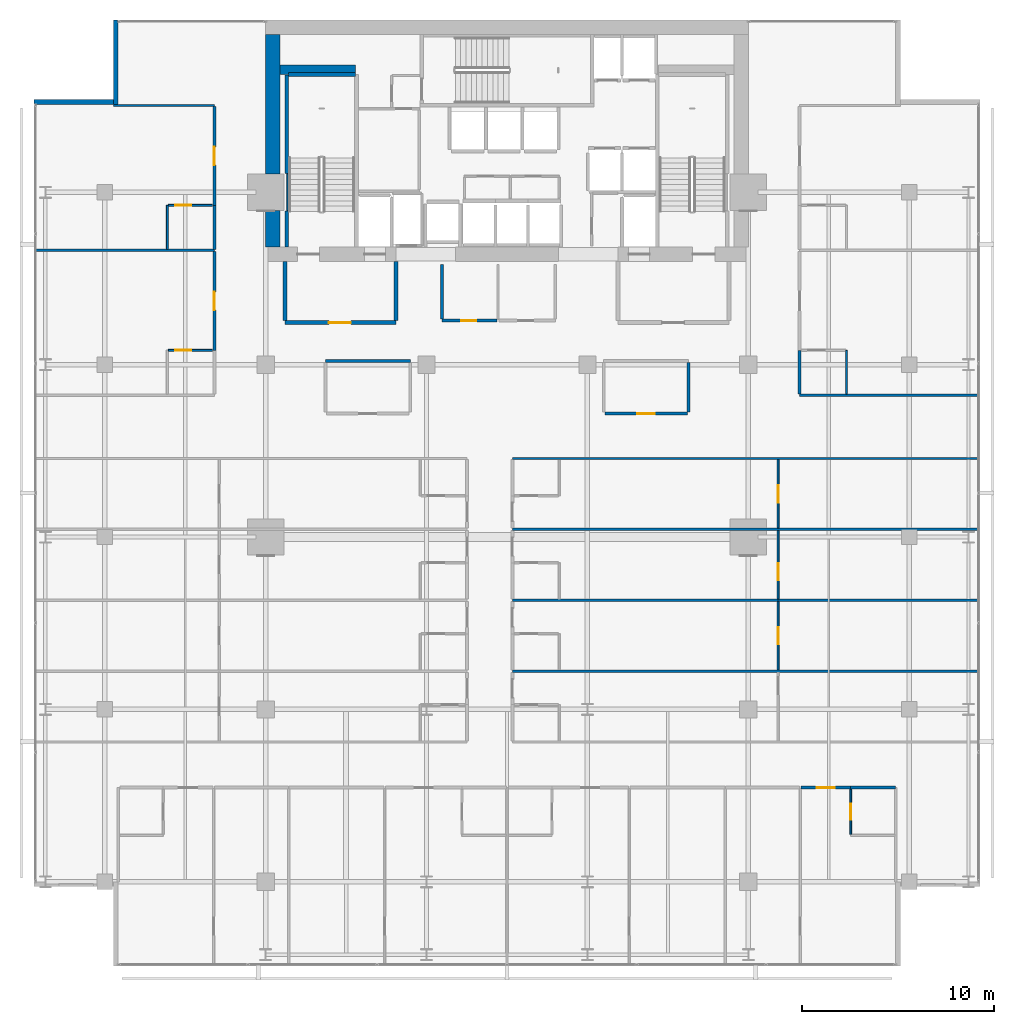
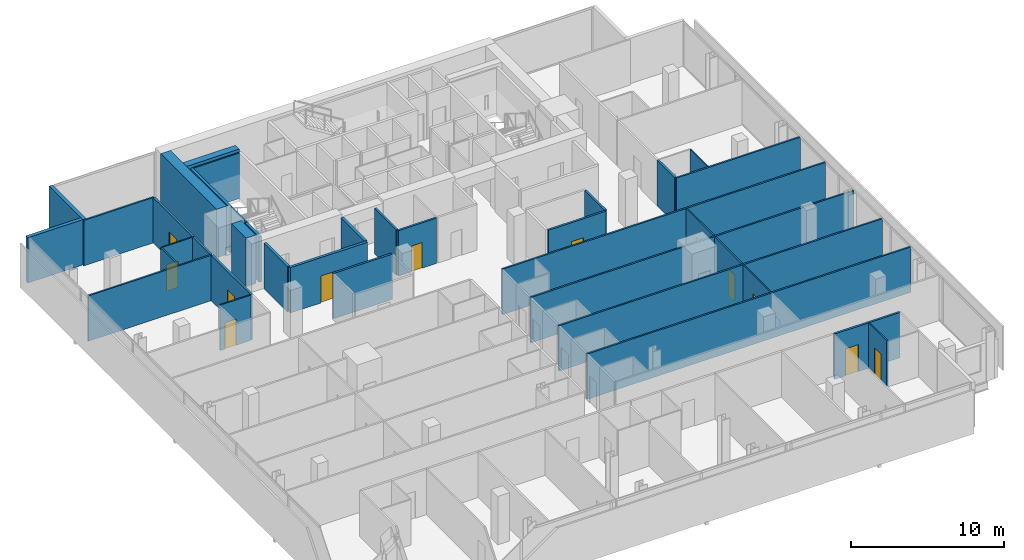
# One storey, part 29 of 34: 38 walls, 12 doors, 12 openings.
"""IFC4 building model written with IfcOpenShell, lengths in metres."""

from ifc_helpers import new_model, si_unit, direction, frame, frame_2d, origin, place, context, subcontext, project, spatial, rectangle, extrude, material, layer, layer_set, type_object, element, fill, save


model = new_model("IFC4")

# Units and contexts
model_context = context("Model", 3, precision=1e-05, world=origin(), true_north=direction((0.0, 1.0)))
body_context = subcontext(model_context, "Body", "Model", "MODEL_VIEW")
ifc_project = project(units=[si_unit("LENGTHUNIT", "METRE"), si_unit("AREAUNIT", "SQUARE_METRE"), si_unit("VOLUMEUNIT", "CUBIC_METRE"), si_unit("PLANEANGLEUNIT", "RADIAN"), si_unit("MASSUNIT", "GRAM", prefix="KILO")], contexts=[model_context])

# Site, building, storey
site_placement = place(None, origin())
site = spatial("IfcSite", under=ifc_project, at=site_placement, CompositionType="ELEMENT")
building_placement = place(site_placement, origin())
building = spatial("IfcBuilding", under=site, at=building_placement, Name="Maruvema Waterfront Hotel and Observation Tower", CompositionType="ELEMENT")
storey_placement = place(building_placement, frame((0.0, 0.0, 192.85009765625)))
storey = spatial("IfcBuildingStorey", under=building, at=storey_placement, Name="L47", CompositionType="ELEMENT", Elevation=192.85009765625)

# Wall, opening, door
ifc_material_1 = material(Name="Twin-stud acoustic gypsum drywall", Category="gypsum")
ifc_layer_1 = layer(ifc_material_1, 0.14990234375, Name="Acoustic Corridor and Suite Demising Wall 150 mm")
ifc_layer_set_1 = layer_set([ifc_layer_1], Name="Twin-stud acoustic gypsum drywall")
wall_type_1 = type_object("IfcWallType", Name="Acoustic Corridor and Suite Demising Wall 150 mm", PredefinedType="PARTITIONING", material=ifc_layer_set_1)
wall_1_placement = place(storey_placement, frame((34.39990234375, 38.300048828125, 0.0), z_axis=(0.0, 0.0, 1.0), x_axis=(1.0, 0.0, 0.0)))
wall_1 = element("IfcWall", 1, at=wall_1_placement, inside=storey, type_object=wall_type_1, Name="L47 Core Apron K2A South 022", PredefinedType="PARTITIONING", context=body_context, shape_type="SweptSolid", body=[
    extrude(rectangle(XDim=2.880126953125, YDim=0.14990234375, at=frame_2d((1.43994140625, 0.0))), origin(), (0.0, 0.0, 1.0), 3.60986328125),
])
opening_1_placement = place(wall_1_placement, frame((1.0, 0.0, 0.0)))
opening_1 = element("IfcOpeningElement", 2, at=opening_1_placement, cuts=wall_1, Name="Opening DR-080", PredefinedType="OPENING", context=body_context, shape_type="SweptSolid", body=[
    extrude(rectangle(XDim=0.800048828125, YDim=2.050048828125, at=frame_2d((0.39990234375, 1.02490234375))), frame((0.0, 0.0849609375, 0.0), z_axis=(0.0, -1.0, 0.0), x_axis=(1.0, 0.0, 0.0)), (0.0, 0.0, 1.0), 0.169921875),
])
ifc_material_2 = material(Name="Powder-coated steel access leaf", Category="steel")
door_type_1 = type_object("IfcDoorType", Name="Riser and Service Cupboard Door 800x2050 mm", OperationType="NOTDEFINED", PredefinedType="DOOR", material=ifc_material_2)
door_1_placement = place(opening_1_placement, frame((0.800048828125, 0.0, 0.0), z_axis=(0.0, 0.0, 1.0), x_axis=(-1.0, 0.0, 0.0)))
door_1 = element("IfcDoor", 3, at=door_1_placement, inside=storey, type_object=door_type_1, Name="L47 Core Ice Alcove Door", OperationType="SINGLE_SWING_LEFT", OverallHeight=2.050048828125, OverallWidth=0.800048828125, PredefinedType="DOOR", context=body_context, shape_type="SweptSolid", body=[
    extrude(rectangle(XDim=0.800048828125, YDim=2.050048828125, at=frame_2d((0.39990234375, 1.02490234375))), frame((0.0, 0.02490234375, 0.0), z_axis=(0.0, -1.0, 0.0), x_axis=(1.0, 0.0, 0.0)), (0.0, 0.0, 1.0), 0.050048828125),
])
fill(opening_1, door_1)

# Walls
wall_2_placement = place(storey_placement, frame((34.39990234375, 38.3798828125, 0.0), z_axis=(0.0, 0.0, 1.0), x_axis=(0.0, 1.0, 0.0)))
element("IfcWall", 4, at=wall_2_placement, inside=storey, type_object=wall_type_1, Name="L47 Core Apron K2 West 024", PredefinedType="PARTITIONING", context=body_context, shape_type="SweptSolid", body=[
    extrude(rectangle(XDim=2.840087890625, YDim=0.14990234375, at=frame_2d((1.419921875, 0.0))), origin(), (0.0, 0.0, 1.0), 3.60986328125),
])
wall_3_placement = place(storey_placement, frame((28.320068359375, 36.199951171875, 0.0), z_axis=(0.0, 0.0, 1.0), x_axis=(1.0, 0.0, 0.0)))
element("IfcWall", 5, at=wall_3_placement, inside=storey, type_object=wall_type_1, Name="L47 L47-M1 Back Wall 027", PredefinedType="PARTITIONING", context=body_context, shape_type="SweptSolid", body=[
    extrude(rectangle(XDim=4.429931640625, YDim=0.14990234375, at=frame_2d((2.21484375, 0.0))), origin(), (0.0, 0.0, 1.0), 3.60986328125),
])
wall_4_placement = place(storey_placement, frame((47.280029296875, 33.530029296875, 0.0), z_axis=(0.0, 0.0, 1.0), x_axis=(0.0, 1.0, 0.0)))
element("IfcWall", 6, at=wall_4_placement, inside=storey, type_object=wall_type_1, Name="L47 L47-M2 East Wall 033", PredefinedType="PARTITIONING", context=body_context, shape_type="SweptSolid", body=[
    extrude(rectangle(XDim=2.590087890625, YDim=0.14990234375, at=frame_2d((1.294921875, 0.0))), origin(), (0.0, 0.0, 1.0), 3.60986328125),
])

# Wall, opening, door
wall_5_placement = place(storey_placement, frame((42.909912109375, 33.449951171875, 0.0), z_axis=(0.0, 0.0, 1.0), x_axis=(1.0, 0.0, 0.0)))
wall_5 = element("IfcWall", 7, at=wall_5_placement, inside=storey, type_object=wall_type_1, Name="L47 L47-M2 Front 1 034", PredefinedType="PARTITIONING", context=body_context, shape_type="SweptSolid", body=[
    extrude(rectangle(XDim=4.31005859375, YDim=0.14990234375, at=frame_2d((2.155029296875, 0.0))), origin(), (0.0, 0.0, 1.0), 3.60986328125),
])
opening_2_placement = place(wall_5_placement, frame((1.705078125, 0.0, 0.0)))
opening_2 = element("IfcOpeningElement", 8, at=opening_2_placement, cuts=wall_5, Name="Opening DR-090", PredefinedType="OPENING", context=body_context, shape_type="SweptSolid", body=[
    extrude(rectangle(XDim=0.89990234375, YDim=2.10009765625, at=frame_2d((0.449951171875, 1.050048828125))), frame((0.0, 0.0849609375, 0.0), z_axis=(0.0, -1.0, 0.0), x_axis=(1.0, 0.0, 0.0)), (0.0, 0.0, 1.0), 0.169921875),
])
ifc_material_3 = material(Name="Solid-core lacquered timber leaf", Category="wood")
door_type_2 = type_object("IfcDoorType", Name="Accessible Toilet and Room Door 900x2100 mm", OperationType="NOTDEFINED", PredefinedType="DOOR", material=ifc_material_3)
door_2_placement = place(opening_2_placement, frame((0.89990234375, 0.0, 0.0), z_axis=(0.0, 0.0, 1.0), x_axis=(-1.0, 0.0, 0.0)))
door_2 = element("IfcDoor", 9, at=door_2_placement, inside=storey, type_object=door_type_2, Name="L47 Library Lounge 3 Door", OperationType="SINGLE_SWING_RIGHT", OverallHeight=2.10009765625, OverallWidth=0.89990234375, PredefinedType="DOOR", context=body_context, shape_type="SweptSolid", body=[
    extrude(rectangle(XDim=0.89990234375, YDim=2.10009765625, at=frame_2d((0.449951171875, 1.050048828125))), frame((0.0, 0.02490234375, 0.0), z_axis=(0.0, -1.0, 0.0), x_axis=(1.0, 0.0, 0.0)), (0.0, 0.0, 1.0), 0.050048828125),
])
fill(opening_2, door_2)

# Wall
wall_6_placement = place(storey_placement, frame((55.75, 13.919921875, 0.0), z_axis=(0.0, 0.0, 1.0), x_axis=(1.0, 0.0, 0.0)))
element("IfcWall", 10, at=wall_6_placement, inside=storey, type_object=wall_type_1, Name="L47 Bath L47-S4 Back Wall 058", PredefinedType="PARTITIONING", context=body_context, shape_type="SweptSolid", body=[
    extrude(rectangle(XDim=2.330078125, YDim=0.14990234375, at=frame_2d((1.1650390625, 0.0))), origin(), (0.0, 0.0, 1.0), 3.60986328125),
])

# Wall, opening, door
wall_7_placement = place(storey_placement, frame((53.156005859375, 13.919921875, 0.0), z_axis=(0.0, 0.0, 1.0), x_axis=(1.0, 0.0, 0.0)))
wall_7 = element("IfcWall", 11, at=wall_7_placement, inside=storey, type_object=wall_type_1, Name="L47 Unit L47-S4 Corridor Wall 062", PredefinedType="PARTITIONING", context=body_context, shape_type="SweptSolid", body=[
    extrude(rectangle(XDim=2.593994140625, YDim=0.14990234375, at=frame_2d((1.296875, 0.0))), origin(), (0.0, 0.0, 1.0), 3.60986328125),
])
opening_3_placement = place(wall_7_placement, frame((0.822021484375, 0.0, 0.0)))
opening_3 = element("IfcOpeningElement", 12, at=opening_3_placement, cuts=wall_7, Name="Opening DR-095", PredefinedType="OPENING", context=body_context, shape_type="SweptSolid", body=[
    extrude(rectangle(XDim=0.949951171875, YDim=2.14990234375, at=frame_2d((0.47509765625, 1.074951171875))), frame((0.0, 0.0849609375, 0.0), z_axis=(0.0, -1.0, 0.0), x_axis=(1.0, 0.0, 0.0)), (0.0, 0.0, 1.0), 0.169921875),
])
ifc_material_4 = material(Name="Acoustic solid-core hardwood timber leaf", Category="wood")
door_type_3 = type_object("IfcDoorType", Name="Guestroom Entrance Fire Door 950x2150 mm", OperationType="NOTDEFINED", PredefinedType="DOOR", material=ifc_material_4)
door_3_placement = place(opening_3_placement, frame((0.949951171875, 0.0, 0.0), z_axis=(0.0, 0.0, 1.0), x_axis=(-1.0, 0.0, 0.0)))
door_3 = element("IfcDoor", 13, at=door_3_placement, inside=storey, type_object=door_type_3, Name="L47 Unit L47-S4 Entrance Door", OperationType="SINGLE_SWING_LEFT", OverallHeight=2.14990234375, OverallWidth=0.949951171875, PredefinedType="DOOR", context=body_context, shape_type="SweptSolid", body=[
    extrude(rectangle(XDim=0.949951171875, YDim=2.14990234375, at=frame_2d((0.47509765625, 1.074951171875))), frame((0.0, 0.02490234375, 0.0), z_axis=(0.0, -1.0, 0.0), x_axis=(1.0, 0.0, 0.0)), (0.0, 0.0, 1.0), 0.050048828125),
])
fill(opening_3, door_3)

wall_8_placement = place(storey_placement, frame((22.52001953125, 36.75, 0.0), z_axis=(0.0, 0.0, 1.0), x_axis=(0.0, 1.0, 0.0)))
wall_8 = element("IfcWall", 14, at=wall_8_placement, inside=storey, type_object=wall_type_1, Name="L47 Room L47-NW1 Corridor Wall 119", PredefinedType="PARTITIONING", context=body_context, shape_type="SweptSolid", body=[
    extrude(rectangle(XDim=5.15869140625, YDim=0.14990234375, at=frame_2d((2.579345703125, 0.0))), origin(), (0.0, 0.0, 1.0), 3.60986328125),
])
opening_4_placement = place(wall_8_placement, frame((2.1044921875, 0.0, 0.0)))
opening_4 = element("IfcOpeningElement", 15, at=opening_4_placement, cuts=wall_8, Name="Opening DR-095", PredefinedType="OPENING", context=body_context, shape_type="SweptSolid", body=[
    extrude(rectangle(XDim=0.949951171875, YDim=2.14990234375, at=frame_2d((0.47509765625, 1.074951171875))), frame((0.0, 0.0849609375, 0.0), z_axis=(0.0, -1.0, 0.0), x_axis=(1.0, 0.0, 0.0)), (0.0, 0.0, 1.0), 0.169921875),
])
door_4_placement = place(opening_4_placement, origin())
door_4 = element("IfcDoor", 16, at=door_4_placement, inside=storey, type_object=door_type_3, Name="L47 Room L47-NW1 Entrance Door", OperationType="SINGLE_SWING_RIGHT", OverallHeight=2.14990234375, OverallWidth=0.949951171875, PredefinedType="DOOR", context=body_context, shape_type="SweptSolid", body=[
    extrude(rectangle(XDim=0.949951171875, YDim=2.14990234375, at=frame_2d((0.47509765625, 1.074951171875))), frame((0.0, 0.02490234375, 0.0), z_axis=(0.0, -1.0, 0.0), x_axis=(1.0, 0.0, 0.0)), (0.0, 0.0, 1.0), 0.050048828125),
])
fill(opening_4, door_4)

# Walls
for number, where, z_axis, x_axis, name in (
    (17, (53.080078125, 34.4599609375, 0.0), (0.0, 0.0, 1.0), (0.0, 1.0, 0.0), "L47 Bath L47-NE1 Wall 122"),
    (18, (22.52001953125, 42.02880859375, 0.0), (0.0, 0.0, 1.0), (0.0, 1.0, 0.0), "L47 Bath L47-NW2 Wall 128"),
):
    element("IfcWall", number, at=place(storey_placement, frame(where, z_axis=z_axis, x_axis=x_axis)), inside=storey, type_object=wall_type_1, Name=name, PredefinedType="PARTITIONING", context=body_context, shape_type="SweptSolid", body=[
        extrude(rectangle(XDim=2.2900390625, YDim=0.14990234375, at=frame_2d((1.14501953125, 0.0))), origin(), (0.0, 0.0, 1.0), 3.60986328125),
    ])

# Wall, opening, door
wall_9_placement = place(storey_placement, frame((22.52001953125, 44.31884765625, 0.0), z_axis=(0.0, 0.0, 1.0), x_axis=(0.0, 1.0, 0.0)))
wall_9 = element("IfcWall", 19, at=wall_9_placement, inside=storey, type_object=wall_type_1, Name="L47 Room L47-NW2 Corridor Wall 129", PredefinedType="PARTITIONING", context=body_context, shape_type="SweptSolid", body=[
    extrude(rectangle(XDim=5.15869140625, YDim=0.14990234375, at=frame_2d((2.579345703125, 0.0))), origin(), (0.0, 0.0, 1.0), 3.60986328125),
])
opening_5_placement = place(wall_9_placement, frame((2.104248046875, 0.0, 0.0)))
opening_5 = element("IfcOpeningElement", 20, at=opening_5_placement, cuts=wall_9, Name="Opening DR-095", PredefinedType="OPENING", context=body_context, shape_type="SweptSolid", body=[
    extrude(rectangle(XDim=0.949951171875, YDim=2.14990234375, at=frame_2d((0.47509765625, 1.074951171875))), frame((0.0, 0.0849609375, 0.0), z_axis=(0.0, -1.0, 0.0), x_axis=(1.0, 0.0, 0.0)), (0.0, 0.0, 1.0), 0.169921875),
])
door_5_placement = place(opening_5_placement, origin())
door_5 = element("IfcDoor", 21, at=door_5_placement, inside=storey, type_object=door_type_3, Name="L47 Room L47-NW2 Entrance Door", OperationType="SINGLE_SWING_RIGHT", OverallHeight=2.14990234375, OverallWidth=0.949951171875, PredefinedType="DOOR", context=body_context, shape_type="SweptSolid", body=[
    extrude(rectangle(XDim=0.949951171875, YDim=2.14990234375, at=frame_2d((0.47509765625, 1.074951171875))), frame((0.0, 0.02490234375, 0.0), z_axis=(0.0, -1.0, 0.0), x_axis=(1.0, 0.0, 0.0)), (0.0, 0.0, 1.0), 0.050048828125),
])
fill(opening_5, door_5)

# Walls
ifc_material_5 = material(Name="Precast concrete C45/55", Category="concrete")
ifc_layer_2 = layer(ifc_material_5, 0.199951171875, Name="Core Shaft and Stairwell Enclosure Wall 200 mm")
ifc_layer_set_2 = layer_set([ifc_layer_2], Name="Precast concrete C45/55")
wall_type_2 = type_object("IfcWallType", Name="Core Shaft and Stairwell Enclosure Wall 200 mm", PredefinedType="SOLIDWALL", material=ifc_layer_set_2)
wall_10_placement = place(storey_placement, frame((26.300048828125, 42.14990234375, 0.0), z_axis=(0.0, 0.0, 1.0), x_axis=(0.0, 1.0, 0.0)))
element("IfcWall", 22, at=wall_10_placement, inside=storey, type_object=wall_type_2, Name="L47 Stairwell ST-01 Shaft Lining Wall", PredefinedType="SOLIDWALL", context=body_context, shape_type="SweptSolid", body=[
    extrude(rectangle(XDim=1.8701171875, YDim=0.199951171875, at=frame_2d((0.93505859375, 0.0))), origin(), (0.0, 0.0, 1.0), 3.60986328125),
])
wall_11_placement = place(storey_placement, frame((26.300048828125, 45.97998046875, 0.0), z_axis=(0.0, 0.0, 1.0), x_axis=(0.0, 1.0, 0.0)))
element("IfcWall", 23, at=wall_11_placement, inside=storey, type_object=wall_type_2, Name="L47 Stairwell ST-01 Shaft Lining Wall", PredefinedType="SOLIDWALL", context=body_context, shape_type="SweptSolid", body=[
    extrude(rectangle(XDim=5.14013671875, YDim=0.199951171875, at=frame_2d((2.570068359375, 0.0))), origin(), (0.0, 0.0, 1.0), 3.60986328125),
])
wall_12_placement = place(storey_placement, frame((26.3798828125, 51.14990234375, 0.0), z_axis=(0.0, 0.0, 1.0), x_axis=(1.0, 0.0, 0.0)))
element("IfcWall", 24, at=wall_12_placement, inside=storey, type_object=wall_type_2, Name="L47 Stairwell ST-01 Shaft Lining Wall", PredefinedType="SOLIDWALL", context=body_context, shape_type="SweptSolid", body=[
    extrude(rectangle(XDim=3.5, YDim=0.199951171875, at=frame_2d((1.75, 0.0))), origin(), (0.0, 0.0, 1.0), 3.60986328125),
])
ifc_material_6 = material(Name="Concrete C70/85", Category="concrete")
ifc_layer_3 = layer(ifc_material_6, 0.5, Name="Core Shear Wall 500 mm")
ifc_layer_set_3 = layer_set([ifc_layer_3], Name="Concrete C70/85")
wall_type_3 = type_object("IfcWallType", Name="Core Shear Wall 500 mm", PredefinedType="SHEAR", material=ifc_layer_set_3)
wall_13_placement = place(storey_placement, frame((25.949951171875, 51.39990234375, 0.0), z_axis=(0.0, 0.0, 1.0), x_axis=(1.0, 0.0, 0.0)))
element("IfcWall", 25, at=wall_13_placement, inside=storey, type_object=wall_type_3, Name="L47 Internal Core Shear Wall NW 500 mm", PredefinedType="SHEAR", context=body_context, shape_type="SweptSolid", body=[
    extrude(rectangle(XDim=3.949951171875, YDim=0.5, at=frame_2d((1.97509765625, 0.0))), origin(), (0.0, 0.0, 1.0), 3.849853515625),
])
ifc_material_7 = material(Name="Concrete C70/85", Category="concrete")
ifc_layer_4 = layer(ifc_material_7, 0.75, Name="Core Shear Wall 750 mm")
ifc_layer_set_4 = layer_set([ifc_layer_4], Name="Concrete C70/85")
wall_type_4 = type_object("IfcWallType", Name="Core Shear Wall 750 mm", PredefinedType="SHEAR", material=ifc_layer_set_4)
wall_14_placement = place(storey_placement, frame((25.574951171875, 42.14990234375, 0.0), z_axis=(0.0, 0.0, 1.0), x_axis=(0.0, 1.0, 0.0)))
element("IfcWall", 26, at=wall_14_placement, inside=storey, type_object=wall_type_4, Name="L47 West-South Core Shear Wall", PredefinedType="SHEAR", context=body_context, shape_type="SweptSolid", body=[
    extrude(rectangle(XDim=1.900146484375, YDim=0.75, at=frame_2d((0.9501953125, 0.0))), origin(), (0.0, 0.0, 1.0), 3.849853515625),
])
wall_15_placement = place(storey_placement, frame((25.574951171875, 45.949951171875, 0.0), z_axis=(0.0, 0.0, 1.0), x_axis=(0.0, 1.0, 0.0)))
element("IfcWall", 27, at=wall_15_placement, inside=storey, type_object=wall_type_4, Name="L47 West-North Core Shear Wall", PredefinedType="SHEAR", context=body_context, shape_type="SweptSolid", body=[
    extrude(rectangle(XDim=7.300048828125, YDim=0.75, at=frame_2d((3.64990234375, 0.0))), origin(), (0.0, 0.0, 1.0), 3.849853515625),
])

# Wall, opening, door
ifc_material_8 = material(Name="Moisture-resistant cement-board drywall", Category="gypsum")
ifc_layer_5 = layer(ifc_material_8, 0.10009765625, Name="En-Suite Moisture-Resistant Partition 100 mm")
ifc_layer_set_5 = layer_set([ifc_layer_5], Name="Moisture-resistant cement-board drywall")
wall_type_5 = type_object("IfcWallType", Name="En-Suite Moisture-Resistant Partition 100 mm", PredefinedType="PARTITIONING", material=ifc_layer_set_5)
wall_16_placement = place(storey_placement, frame((55.75, 11.47998046875, 0.0), z_axis=(0.0, 0.0, 1.0), x_axis=(0.0, 1.0, 0.0)))
wall_16 = element("IfcWall", 28, at=wall_16_placement, inside=storey, type_object=wall_type_5, Name="L47 En-Suite L47-S4 West 060", PredefinedType="PARTITIONING", context=body_context, shape_type="SweptSolid", body=[
    extrude(rectangle(XDim=2.340087890625, YDim=0.10009765625, at=frame_2d((1.169921875, 0.0))), origin(), (0.0, 0.0, 1.0), 3.60986328125),
])
opening_6_placement = place(wall_16_placement, frame((0.7451171875, 0.0, 0.0)))
opening_6 = element("IfcOpeningElement", 29, at=opening_6_placement, cuts=wall_16, Name="Opening DR-085", PredefinedType="OPENING", context=body_context, shape_type="SweptSolid", body=[
    extrude(rectangle(XDim=0.85009765625, YDim=2.10009765625, at=frame_2d((0.425048828125, 1.050048828125))), frame((0.0, 0.06005859375, 0.0), z_axis=(0.0, -1.0, 0.0), x_axis=(1.0, 0.0, 0.0)), (0.0, 0.0, 1.0), 0.1201171875),
])
ifc_material_9 = material(Name="Moisture-resistant solid timber leaf", Category="wood")
door_type_4 = type_object("IfcDoorType", Name="En-Suite Bathroom Door 850x2100 mm", OperationType="NOTDEFINED", PredefinedType="DOOR", material=ifc_material_9)
door_6_placement = place(opening_6_placement, origin())
door_6 = element("IfcDoor", 30, at=door_6_placement, inside=storey, type_object=door_type_4, Name="L47 En-Suite L47-S4 Door", OperationType="SINGLE_SWING_RIGHT", OverallHeight=2.10009765625, OverallWidth=0.85009765625, PredefinedType="DOOR", context=body_context, shape_type="SweptSolid", body=[
    extrude(rectangle(XDim=0.85009765625, YDim=2.10009765625, at=frame_2d((0.425048828125, 1.050048828125))), frame((0.0, 0.02490234375, 0.0), z_axis=(0.0, -1.0, 0.0), x_axis=(1.0, 0.0, 0.0)), (0.0, 0.0, 1.0), 0.050048828125),
])
fill(opening_6, door_6)

wall_17_placement = place(storey_placement, frame((51.954345703125, 20.06005859375, 0.0), z_axis=(0.0, 0.0, 1.0), x_axis=(0.0, 1.0, 0.0)))
wall_17 = element("IfcWall", 31, at=wall_17_placement, inside=storey, type_object=wall_type_5, Name="L47 Suite L47-E2 Split 089", PredefinedType="PARTITIONING", context=body_context, shape_type="SweptSolid", body=[
    extrude(rectangle(XDim=3.579833984375, YDim=0.10009765625, at=frame_2d((1.7900390625, 0.0))), origin(), (0.0, 0.0, 1.0), 3.60986328125),
])
opening_7_placement = place(wall_17_placement, frame((1.340087890625, 0.0, 0.0)))
opening_7 = element("IfcOpeningElement", 32, at=opening_7_placement, cuts=wall_17, Name="Opening DR-090", PredefinedType="OPENING", context=body_context, shape_type="SweptSolid", body=[
    extrude(rectangle(XDim=0.89990234375, YDim=2.10009765625, at=frame_2d((0.449951171875, 1.050048828125))), frame((0.0, 0.06005859375, 0.0), z_axis=(0.0, -1.0, 0.0), x_axis=(1.0, 0.0, 0.0)), (0.0, 0.0, 1.0), 0.1201171875),
])
door_7_placement = place(opening_7_placement, frame((0.89990234375, 0.0, 0.0), z_axis=(0.0, 0.0, 1.0), x_axis=(-1.0, 0.0, 0.0)))
door_7 = element("IfcDoor", 33, at=door_7_placement, inside=storey, type_object=door_type_2, Name="L47 Suite L47-E2 Bedroom Door", OperationType="SINGLE_SWING_RIGHT", OverallHeight=2.10009765625, OverallWidth=0.89990234375, PredefinedType="DOOR", context=body_context, shape_type="SweptSolid", body=[
    extrude(rectangle(XDim=0.89990234375, YDim=2.10009765625, at=frame_2d((0.449951171875, 1.050048828125))), frame((0.0, 0.02490234375, 0.0), z_axis=(0.0, -1.0, 0.0), x_axis=(1.0, 0.0, 0.0)), (0.0, 0.0, 1.0), 0.050048828125),
])
fill(opening_7, door_7)

wall_18_placement = place(storey_placement, frame((51.954345703125, 23.760009765625, 0.0), z_axis=(0.0, 0.0, 1.0), x_axis=(0.0, 1.0, 0.0)))
wall_18 = element("IfcWall", 34, at=wall_18_placement, inside=storey, type_object=wall_type_5, Name="L47 Suite L47-E3 Split 101", PredefinedType="PARTITIONING", context=body_context, shape_type="SweptSolid", body=[
    extrude(rectangle(XDim=3.580078125, YDim=0.10009765625, at=frame_2d((1.7900390625, 0.0))), origin(), (0.0, 0.0, 1.0), 3.60986328125),
])
opening_8_placement = place(wall_18_placement, frame((0.97998046875, 0.0, 0.0)))
opening_8 = element("IfcOpeningElement", 35, at=opening_8_placement, cuts=wall_18, Name="Opening DR-090", PredefinedType="OPENING", context=body_context, shape_type="SweptSolid", body=[
    extrude(rectangle(XDim=0.89990234375, YDim=2.10009765625, at=frame_2d((0.449951171875, 1.050048828125))), frame((0.0, 0.06005859375, 0.0), z_axis=(0.0, -1.0, 0.0), x_axis=(1.0, 0.0, 0.0)), (0.0, 0.0, 1.0), 0.1201171875),
])
door_8_placement = place(opening_8_placement, frame((0.89990234375, 0.0, 0.0), z_axis=(0.0, 0.0, 1.0), x_axis=(-1.0, 0.0, 0.0)))
door_8 = element("IfcDoor", 36, at=door_8_placement, inside=storey, type_object=door_type_2, Name="L47 Suite L47-E3 Bedroom Door", OperationType="SINGLE_SWING_RIGHT", OverallHeight=2.10009765625, OverallWidth=0.89990234375, PredefinedType="DOOR", context=body_context, shape_type="SweptSolid", body=[
    extrude(rectangle(XDim=0.89990234375, YDim=2.10009765625, at=frame_2d((0.449951171875, 1.050048828125))), frame((0.0, 0.02490234375, 0.0), z_axis=(0.0, -1.0, 0.0), x_axis=(1.0, 0.0, 0.0)), (0.0, 0.0, 1.0), 0.050048828125),
])
fill(opening_8, door_8)

wall_19_placement = place(storey_placement, frame((51.954345703125, 27.4599609375, 0.0), z_axis=(0.0, 0.0, 1.0), x_axis=(0.0, 1.0, 0.0)))
wall_19 = element("IfcWall", 37, at=wall_19_placement, inside=storey, type_object=wall_type_5, Name="L47 Suite L47-E4 Split 113", PredefinedType="PARTITIONING", context=body_context, shape_type="SweptSolid", body=[
    extrude(rectangle(XDim=3.580078125, YDim=0.10009765625, at=frame_2d((1.7900390625, 0.0))), origin(), (0.0, 0.0, 1.0), 3.60986328125),
])
opening_9_placement = place(wall_19_placement, frame((1.340087890625, 0.0, 0.0)))
opening_9 = element("IfcOpeningElement", 38, at=opening_9_placement, cuts=wall_19, Name="Opening DR-090", PredefinedType="OPENING", context=body_context, shape_type="SweptSolid", body=[
    extrude(rectangle(XDim=0.89990234375, YDim=2.10009765625, at=frame_2d((0.449951171875, 1.050048828125))), frame((0.0, 0.06005859375, 0.0), z_axis=(0.0, -1.0, 0.0), x_axis=(1.0, 0.0, 0.0)), (0.0, 0.0, 1.0), 0.1201171875),
])
door_9_placement = place(opening_9_placement, frame((0.89990234375, 0.0, 0.0), z_axis=(0.0, 0.0, 1.0), x_axis=(-1.0, 0.0, 0.0)))
door_9 = element("IfcDoor", 39, at=door_9_placement, inside=storey, type_object=door_type_2, Name="L47 Suite L47-E4 Bedroom Door", OperationType="SINGLE_SWING_RIGHT", OverallHeight=2.10009765625, OverallWidth=0.89990234375, PredefinedType="DOOR", context=body_context, shape_type="SweptSolid", body=[
    extrude(rectangle(XDim=0.89990234375, YDim=2.10009765625, at=frame_2d((0.449951171875, 1.050048828125))), frame((0.0, 0.02490234375, 0.0), z_axis=(0.0, -1.0, 0.0), x_axis=(1.0, 0.0, 0.0)), (0.0, 0.0, 1.0), 0.050048828125),
])
fill(opening_9, door_9)

wall_20_placement = place(storey_placement, frame((20.1201171875, 36.75, 0.0), z_axis=(0.0, 0.0, 1.0), x_axis=(1.0, 0.0, 0.0)))
wall_20 = element("IfcWall", 40, at=wall_20_placement, inside=storey, type_object=wall_type_5, Name="L47 En-Suite L47-NW1 N 121", PredefinedType="PARTITIONING", context=body_context, shape_type="SweptSolid", body=[
    extrude(rectangle(XDim=2.2998046875, YDim=0.10009765625, at=frame_2d((1.14990234375, 0.0))), origin(), (0.0, 0.0, 1.0), 3.60986328125),
])
opening_10_placement = place(wall_20_placement, frame((0.35009765625, 0.0, 0.0)))
opening_10 = element("IfcOpeningElement", 41, at=opening_10_placement, cuts=wall_20, Name="Opening DR-085", PredefinedType="OPENING", context=body_context, shape_type="SweptSolid", body=[
    extrude(rectangle(XDim=0.85009765625, YDim=2.10009765625, at=frame_2d((0.425048828125, 1.050048828125))), frame((0.0, 0.06005859375, 0.0), z_axis=(0.0, -1.0, 0.0), x_axis=(1.0, 0.0, 0.0)), (0.0, 0.0, 1.0), 0.1201171875),
])
door_10_placement = place(opening_10_placement, origin())
door_10 = element("IfcDoor", 42, at=door_10_placement, inside=storey, type_object=door_type_4, Name="L47 En-Suite L47-NW1 Door", OperationType="SINGLE_SWING_LEFT", OverallHeight=2.10009765625, OverallWidth=0.85009765625, PredefinedType="DOOR", context=body_context, shape_type="SweptSolid", body=[
    extrude(rectangle(XDim=0.85009765625, YDim=2.10009765625, at=frame_2d((0.425048828125, 1.050048828125))), frame((0.0, 0.02490234375, 0.0), z_axis=(0.0, -1.0, 0.0), x_axis=(1.0, 0.0, 0.0)), (0.0, 0.0, 1.0), 0.050048828125),
])
fill(opening_10, door_10)

# Walls
for number, where, z_axis, x_axis, name in (
    (43, (55.530029296875, 34.4599609375, 0.0), (0.0, 0.0, 1.0), (0.0, 1.0, 0.0), "L47 En-Suite L47-NE1 E 124"),
    (44, (20.070068359375, 42.02880859375, 0.0), (0.0, 0.0, 1.0), (0.0, 1.0, 0.0), "L47 En-Suite L47-NW2 W 130"),
):
    element("IfcWall", number, at=place(storey_placement, frame(where, z_axis=z_axis, x_axis=x_axis)), inside=storey, type_object=wall_type_5, Name=name, PredefinedType="PARTITIONING", context=body_context, shape_type="SweptSolid", body=[
        extrude(rectangle(XDim=2.2900390625, YDim=0.10009765625, at=frame_2d((1.14501953125, 0.0))), origin(), (0.0, 0.0, 1.0), 3.60986328125),
    ])

# Wall, opening, door
wall_21_placement = place(storey_placement, frame((20.1201171875, 44.31884765625, 0.0), z_axis=(0.0, 0.0, 1.0), x_axis=(1.0, 0.0, 0.0)))
wall_21 = element("IfcWall", 45, at=wall_21_placement, inside=storey, type_object=wall_type_5, Name="L47 En-Suite L47-NW2 N 131", PredefinedType="PARTITIONING", context=body_context, shape_type="SweptSolid", body=[
    extrude(rectangle(XDim=2.2998046875, YDim=0.10009765625, at=frame_2d((1.14990234375, 0.0))), origin(), (0.0, 0.0, 1.0), 3.60986328125),
])
opening_11_placement = place(wall_21_placement, frame((0.35009765625, 0.0, 0.0)))
opening_11 = element("IfcOpeningElement", 46, at=opening_11_placement, cuts=wall_21, Name="Opening DR-085", PredefinedType="OPENING", context=body_context, shape_type="SweptSolid", body=[
    extrude(rectangle(XDim=0.85009765625, YDim=2.10009765625, at=frame_2d((0.425048828125, 1.050048828125))), frame((0.0, 0.06005859375, 0.0), z_axis=(0.0, -1.0, 0.0), x_axis=(1.0, 0.0, 0.0)), (0.0, 0.0, 1.0), 0.1201171875),
])
door_11_placement = place(opening_11_placement, origin())
door_11 = element("IfcDoor", 47, at=door_11_placement, inside=storey, type_object=door_type_4, Name="L47 En-Suite L47-NW2 Door", OperationType="SINGLE_SWING_LEFT", OverallHeight=2.10009765625, OverallWidth=0.85009765625, PredefinedType="DOOR", context=body_context, shape_type="SweptSolid", body=[
    extrude(rectangle(XDim=0.85009765625, YDim=2.10009765625, at=frame_2d((0.425048828125, 1.050048828125))), frame((0.0, 0.02490234375, 0.0), z_axis=(0.0, -1.0, 0.0), x_axis=(1.0, 0.0, 0.0)), (0.0, 0.0, 1.0), 0.050048828125),
])
fill(opening_11, door_11)

# Walls
ifc_material_10 = material(Name="Precast concrete C45/55 with honed Pernambuco granite facing", Category="masonry")
ifc_layer_6 = layer(ifc_material_10, 0.260009765625, Name="Exterior Granite Clad Spandrel and Pier Wall 260 mm")
ifc_layer_set_6 = layer_set([ifc_layer_6], Name="Precast concrete C45/55 with honed Pernambuco granite facing")
wall_type_6 = type_object("IfcWallType", Name="Exterior Granite Clad Spandrel and Pier Wall 260 mm", PredefinedType="SOLIDWALL", material=ifc_layer_set_6)
for number, where, z_axis, x_axis, name in (
    (48, (17.3701171875, 49.60009765625, 0.0), (0.0, 0.0, 1.0), (0.0, 1.0, 0.0), "L47 Corner Notch Granite Pier Wall NW1"),
    (49, (13.10009765625, 49.72998046875, 0.0), (0.0, 0.0, 1.0), (1.0, 0.0, 0.0), "L47 Corner Notch Granite Pier Wall NW2"),
):
    element("IfcWall", number, at=place(storey_placement, frame(where, z_axis=z_axis, x_axis=x_axis)), inside=storey, type_object=wall_type_6, Name=name, PredefinedType="SOLIDWALL", context=body_context, shape_type="SweptSolid", body=[
        extrude(rectangle(XDim=4.39990234375, YDim=0.260009765625, at=frame_2d((2.199951171875, 0.0))), origin(), (0.0, 0.0, 1.0), 3.60986328125),
    ])

# Wall, opening, door
ifc_material_11 = material(Name="Autoclaved cellular concrete blockwork", Category="masonry")
ifc_layer_7 = layer(ifc_material_11, 0.199951171875, Name="Fire Compartment Masonry Wall 200 mm")
ifc_layer_set_7 = layer_set([ifc_layer_7], Name="Autoclaved cellular concrete blockwork")
wall_type_7 = type_object("IfcWallType", Name="Fire Compartment Masonry Wall 200 mm", PredefinedType="PARTITIONING", material=ifc_layer_set_7)
wall_22_placement = place(storey_placement, frame((26.199951171875, 38.199951171875, 0.0), z_axis=(0.0, 0.0, 1.0), x_axis=(1.0, 0.0, 0.0)))
wall_22 = element("IfcWall", 50, at=wall_22_placement, inside=storey, type_object=wall_type_7, Name="L47 FFL West South Wall 001", PredefinedType="PARTITIONING", context=body_context, shape_type="SweptSolid", body=[
    extrude(rectangle(XDim=5.800048828125, YDim=0.199951171875, at=frame_2d((2.89990234375, 0.0))), origin(), (0.0, 0.0, 1.0), 3.60986328125),
])
opening_12_placement = place(wall_22_placement, frame((2.300048828125, 0.0, 0.0)))
opening_12 = element("IfcOpeningElement", 51, at=opening_12_placement, cuts=wall_22, Name="Opening FD-115", PredefinedType="OPENING", context=body_context, shape_type="SweptSolid", body=[
    extrude(rectangle(XDim=1.14990234375, YDim=2.14990234375, at=frame_2d((0.574951171875, 1.074951171875))), frame((0.0, 0.10986328125, 0.0), z_axis=(0.0, -1.0, 0.0), x_axis=(1.0, 0.0, 0.0)), (0.0, 0.0, 1.0), 0.219970703125),
])
ifc_material_12 = material(Name="Fire-rated galvanised steel and vision glass", Category="steel")
door_type_5 = type_object("IfcDoorType", Name="Firefighting Lobby Fire Door 1150x2150 mm", OperationType="NOTDEFINED", PredefinedType="DOOR", material=ifc_material_12)
door_12_placement = place(opening_12_placement, frame((1.14990234375, 0.0, 0.0), z_axis=(0.0, 0.0, 1.0), x_axis=(-1.0, 0.0, 0.0)))
door_12 = element("IfcDoor", 52, at=door_12_placement, inside=storey, type_object=door_type_5, Name="L47 Firefighting Lobby West Door", OperationType="SINGLE_SWING_LEFT", OverallHeight=2.14990234375, OverallWidth=1.14990234375, PredefinedType="DOOR", context=body_context, shape_type="SweptSolid", body=[
    extrude(rectangle(XDim=1.14990234375, YDim=2.14990234375, at=frame_2d((0.574951171875, 1.074951171875))), frame((0.0, 0.02490234375, 0.0), z_axis=(0.0, -1.0, 0.0), x_axis=(1.0, 0.0, 0.0)), (0.0, 0.0, 1.0), 0.050048828125),
])
fill(opening_12, door_12)

# Walls
for number, where, z_axis, x_axis, name in (
    (53, (26.199951171875, 38.31005859375, 0.0), (0.0, 0.0, 1.0), (0.0, 1.0, 0.0), "L47 FFL West West Wall 002"),
    (54, (32.0, 38.31005859375, 0.0), (0.0, 0.0, 1.0), (0.0, 1.0, 0.0), "L47 FFL West East Wall 003"),
):
    element("IfcWall", number, at=place(storey_placement, frame(where, z_axis=z_axis, x_axis=x_axis)), inside=storey, type_object=wall_type_7, Name=name, PredefinedType="PARTITIONING", context=body_context, shape_type="SweptSolid", body=[
        extrude(rectangle(XDim=3.06982421875, YDim=0.199951171875, at=frame_2d((1.534912109375, 0.0))), origin(), (0.0, 0.0, 1.0), 3.60986328125),
    ])
ifc_material_13 = material(Name="Acoustic gypsum plasterboard drywall", Category="gypsum")
ifc_layer_8 = layer(ifc_material_13, 0.125, Name="Guestroom Acoustic Demising Wall 125 mm")
ifc_layer_set_8 = layer_set([ifc_layer_8], Name="Acoustic gypsum plasterboard drywall")
wall_type_8 = type_object("IfcWallType", Name="Guestroom Acoustic Demising Wall 125 mm", PredefinedType="PARTITIONING", material=ifc_layer_set_8)
for number, where, z_axis, x_axis, name in (
    (55, (38.080078125, 31.10009765625, 0.0), (0.0, 0.0, 1.0), (1.0, 0.0, 0.0), "L47 Z2 E Top End 067"),
    (56, (38.080078125, 20.0, 0.0), (0.0, 0.0, 1.0), (1.0, 0.0, 0.0), "L47 Z2 E Demising 2 079"),
    (57, (38.080078125, 23.699951171875, 0.0), (0.0, 0.0, 1.0), (1.0, 0.0, 0.0), "L47 Z2 E Demising 3 091"),
    (58, (38.080078125, 27.39990234375, 0.0), (0.0, 0.0, 1.0), (1.0, 0.0, 0.0), "L47 Z2 E Demising 4 103"),
):
    element("IfcWall", number, at=place(storey_placement, frame(where, z_axis=z_axis, x_axis=x_axis)), inside=storey, type_object=wall_type_8, Name=name, PredefinedType="PARTITIONING", context=body_context, shape_type="SweptSolid", body=[
        extrude(rectangle(XDim=24.31982421875, YDim=0.125, at=frame_2d((12.159912109375, 0.0))), origin(), (0.0, 0.0, 1.0), 3.60986328125),
    ])
wall_23_placement = place(storey_placement, frame((53.080078125, 34.39990234375, 0.0), z_axis=(0.0, 0.0, 1.0), x_axis=(1.0, 0.0, 0.0)))
element("IfcWall", 59, at=wall_23_placement, inside=storey, type_object=wall_type_8, Name="L47 Z2 NE Bot End 115", PredefinedType="PARTITIONING", context=body_context, shape_type="SweptSolid", body=[
    extrude(rectangle(XDim=9.31982421875, YDim=0.125, at=frame_2d((4.659912109375, 0.0))), origin(), (0.0, 0.0, 1.0), 3.60986328125),
])
wall_24_placement = place(storey_placement, frame((17.239990234375, 49.53759765625, 0.0), z_axis=(0.0, 0.0, 1.0), x_axis=(1.0, 0.0, 0.0)))
element("IfcWall", 60, at=wall_24_placement, inside=storey, type_object=wall_type_8, Name="L47 Z2 NW Top End 116", PredefinedType="PARTITIONING", context=body_context, shape_type="SweptSolid", body=[
    extrude(rectangle(XDim=5.280029296875, YDim=0.125, at=frame_2d((2.64013671875, 0.0))), origin(), (0.0, 0.0, 1.0), 3.60986328125),
])
wall_25_placement = place(storey_placement, frame((13.199951171875, 41.96875, 0.0), z_axis=(0.0, 0.0, 1.0), x_axis=(1.0, 0.0, 0.0)))
element("IfcWall", 61, at=wall_25_placement, inside=storey, type_object=wall_type_8, Name="L47 Z2 NW Demising 2 126", PredefinedType="PARTITIONING", context=body_context, shape_type="SweptSolid", body=[
    extrude(rectangle(XDim=9.320068359375, YDim=0.125, at=frame_2d((4.66015625, 0.0))), origin(), (0.0, 0.0, 1.0), 3.60986328125),
])
ifc_material_14 = material(Name="Precast concrete C45/55", Category="concrete")
ifc_layer_9 = layer(ifc_material_14, 0.10009765625, Name="Stairwell Stringer Cheek Wall 100 mm")
ifc_layer_set_9 = layer_set([ifc_layer_9], Name="Precast concrete C45/55")
wall_type_9 = type_object("IfcWallType", Name="Stairwell Stringer Cheek Wall 100 mm", PredefinedType="SOLIDWALL", material=ifc_layer_set_9)
wall_26_placement = place(storey_placement, frame((26.35205078125, 44.0400390625, 0.0), z_axis=(0.0, 0.0, 1.0), x_axis=(0.0, 1.0, 0.0)))
element("IfcWall", 62, at=wall_26_placement, inside=storey, type_object=wall_type_9, Name="L47 Stairwell ST-01 Mega-Column Cheek Wall", PredefinedType="SOLIDWALL", context=body_context, shape_type="SweptSolid", body=[
    extrude(rectangle(XDim=1.919921875, YDim=0.10009765625, at=frame_2d((0.9599609375, 0.0))), origin(), (0.0, 0.0, 1.0), 3.60986328125),
])

save(model, "model.ifc")
